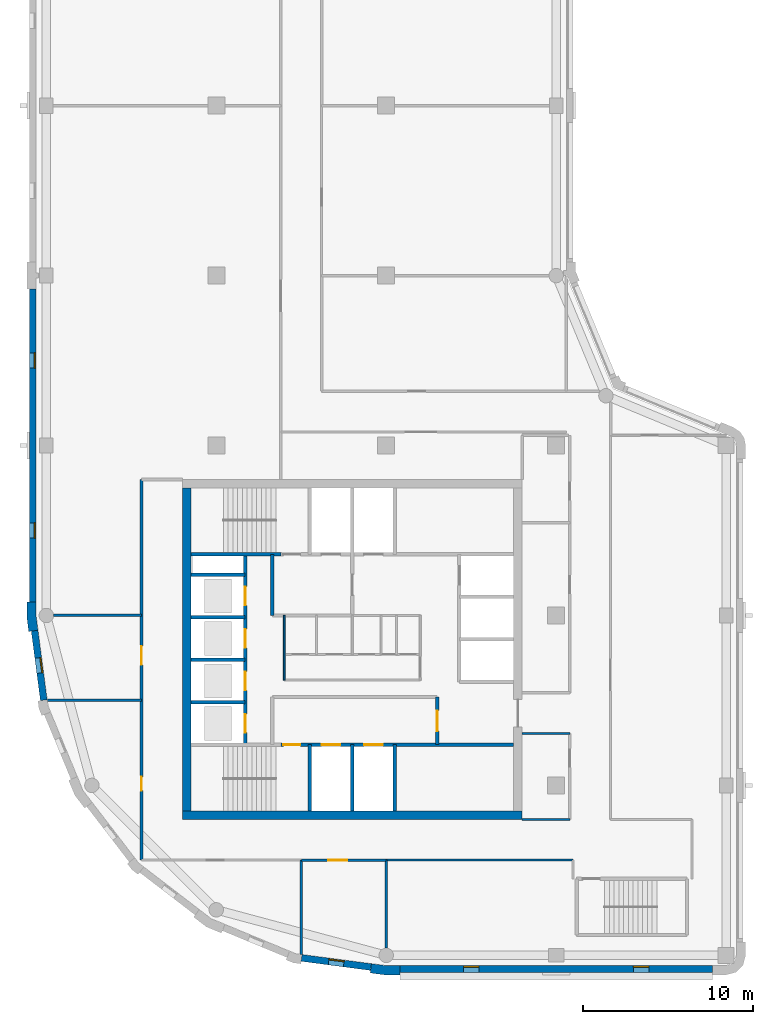
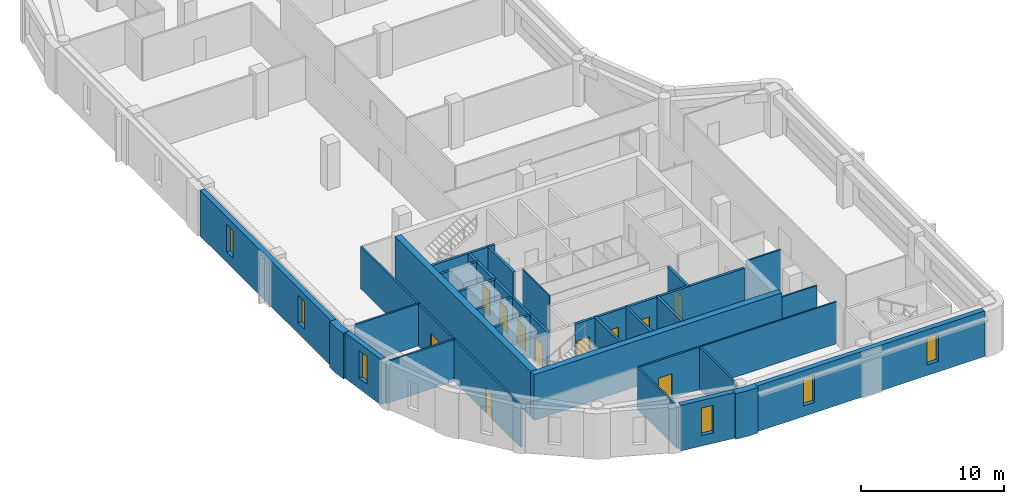
# One storey, part 2 of 8: 30 walls, 11 doors, 6 windows, 17 openings.
"""IFC4 building model written with IfcOpenShell, lengths in metres."""

from ifc_helpers import new_model, si_unit, direction, frame, frame_2d, origin, place, context, subcontext, project, spatial, polyline, rectangle, outline, extrude, material, layer, layer_set, type_object, element, fill, save


model = new_model("IFC4")

# Units and contexts
model_context = context("Model", 3, precision=1e-05, world=origin(), true_north=direction((0.0, 1.0)))
body_context = subcontext(model_context, "Body", "Model", "MODEL_VIEW")
ifc_project = project(units=[si_unit("LENGTHUNIT", "METRE"), si_unit("AREAUNIT", "SQUARE_METRE"), si_unit("VOLUMEUNIT", "CUBIC_METRE"), si_unit("PLANEANGLEUNIT", "RADIAN"), si_unit("MASSUNIT", "GRAM", prefix="KILO")], contexts=[model_context])

# Site, building, storey
site_placement = place(None, origin())
site = spatial("IfcSite", under=ifc_project, at=site_placement, CompositionType="ELEMENT")
building_placement = place(site_placement, origin())
building = spatial("IfcBuilding", under=site, at=building_placement, Name="Qaws Garden Tower", CompositionType="ELEMENT")
storey_placement = place(building_placement, frame((0.0, 0.0, 298.199951171875)))
storey = spatial("IfcBuildingStorey", under=building, at=storey_placement, Name="L72", CompositionType="ELEMENT", Elevation=298.199951171875)

# Wall, openings, windows
ifc_material_1 = material(Name="Clay facing brick masonry", Category="masonry")
ifc_layer_1 = layer(ifc_material_1, 0.39990234375)
ifc_layer_set_1 = layer_set([ifc_layer_1], Name="Clay facing brick masonry")
wall_type_1 = type_object("IfcWallType", Name="Brick infill wall 400", PredefinedType="SOLIDWALL", material=ifc_layer_set_1)
wall_1_placement = place(storey_placement, frame((20.800048828125, -0.800048828125, 0.0), z_axis=(0.0, 0.0, 1.0), x_axis=(1.0, 0.0, 0.0)))
wall_1 = element("IfcWall", 1, at=wall_1_placement, inside=storey, type_object=wall_type_1, Name="E-L72-infill-00", PredefinedType="SOLIDWALL", context=body_context, shape_type="SweptSolid", body=[
    extrude(rectangle(XDim=18.39990234375, YDim=0.39990234375, at=frame_2d((9.199951171875, 0.0))), origin(), (0.0, 0.0, 1.0), 3.900146484375),
])
opening_1_placement = place(wall_1_placement, frame((3.75, 0.0, 0.89990234375)))
opening_1 = element("IfcOpeningElement", 2, at=opening_1_placement, cuts=wall_1, Name="Opening W09", PredefinedType="OPENING", context=body_context, shape_type="SweptSolid", body=[
    extrude(rectangle(XDim=0.89990234375, YDim=2.35009765625, at=frame_2d((0.449951171875, 1.175048828125))), frame((0.0, 0.2099609375, 0.0), z_axis=(0.0, -1.0, 0.0), x_axis=(1.0, 0.0, 0.0)), (0.0, 0.0, 1.0), 0.419921875),
])
opening_2_placement = place(wall_1_placement, frame((13.75, 0.0, 0.89990234375)))
opening_2 = element("IfcOpeningElement", 3, at=opening_2_placement, cuts=wall_1, Name="Opening W09", PredefinedType="OPENING", context=body_context, shape_type="SweptSolid", body=[
    extrude(rectangle(XDim=0.89990234375, YDim=2.35009765625, at=frame_2d((0.449951171875, 1.175048828125))), frame((0.0, 0.2099609375, 0.0), z_axis=(0.0, -1.0, 0.0), x_axis=(1.0, 0.0, 0.0)), (0.0, 0.0, 1.0), 0.419921875),
])
ifc_material_2 = material(Name="Aluminium framed window, clear glazing", Category="aluminium")
window_type = type_object("IfcWindowType", Name="Slit window 900 x 2350", PartitioningType="SINGLE_PANEL", PredefinedType="WINDOW", material=ifc_material_2)
window_1_placement = place(opening_1_placement, origin())
window_1 = element("IfcWindow", 4, at=window_1_placement, inside=storey, type_object=window_type, Name="E-L72-window-00-0", OverallHeight=2.35009765625, OverallWidth=0.89990234375, PartitioningType="SINGLE_PANEL", PredefinedType="WINDOW", context=body_context, shape_type="SweptSolid", body=[
    extrude(rectangle(XDim=0.89990234375, YDim=2.35009765625, at=frame_2d((0.449951171875, 1.175048828125))), frame((0.0, 0.159912109375, 0.0), z_axis=(0.0, -1.0, 0.0), x_axis=(1.0, 0.0, 0.0)), (0.0, 0.0, 1.0), 0.06005859375),
])
fill(opening_1, window_1)
window_2_placement = place(opening_2_placement, origin())
window_2 = element("IfcWindow", 5, at=window_2_placement, inside=storey, type_object=window_type, Name="E-L72-window-01-0", OverallHeight=2.35009765625, OverallWidth=0.89990234375, PartitioningType="SINGLE_PANEL", PredefinedType="WINDOW", context=body_context, shape_type="SweptSolid", body=[
    extrude(rectangle(XDim=0.89990234375, YDim=2.35009765625, at=frame_2d((0.449951171875, 1.175048828125))), frame((0.0, 0.159912109375, 0.0), z_axis=(0.0, -1.0, 0.0), x_axis=(1.0, 0.0, 0.0)), (0.0, 0.0, 1.0), 0.06005859375),
])
fill(opening_2, window_2)

wall_2_placement = place(storey_placement, frame((-0.800048828125, 39.199951171875, 0.0), z_axis=(0.0, 0.0, 1.0), x_axis=(0.0, -1.0, 0.0)))
wall_2 = element("IfcWall", 6, at=wall_2_placement, inside=storey, type_object=wall_type_1, Name="E-L72-infill-19", PredefinedType="SOLIDWALL", context=body_context, shape_type="SweptSolid", body=[
    extrude(rectangle(XDim=18.39990234375, YDim=0.39990234375, at=frame_2d((9.199951171875, 0.0))), origin(), (0.0, 0.0, 1.0), 3.900146484375),
])
opening_3_placement = place(wall_2_placement, frame((3.75, 0.0, 0.89990234375)))
opening_3 = element("IfcOpeningElement", 7, at=opening_3_placement, cuts=wall_2, Name="Opening W09", PredefinedType="OPENING", context=body_context, shape_type="SweptSolid", body=[
    extrude(rectangle(XDim=0.89990234375, YDim=2.35009765625, at=frame_2d((0.449951171875, 1.175048828125))), frame((0.0, 0.2099609375, 0.0), z_axis=(0.0, -1.0, 0.0), x_axis=(1.0, 0.0, 0.0)), (0.0, 0.0, 1.0), 0.419921875),
])
opening_4_placement = place(wall_2_placement, frame((13.75, 0.0, 0.89990234375)))
opening_4 = element("IfcOpeningElement", 8, at=opening_4_placement, cuts=wall_2, Name="Opening W09", PredefinedType="OPENING", context=body_context, shape_type="SweptSolid", body=[
    extrude(rectangle(XDim=0.89990234375, YDim=2.35009765625, at=frame_2d((0.449951171875, 1.175048828125))), frame((0.0, 0.2099609375, 0.0), z_axis=(0.0, -1.0, 0.0), x_axis=(1.0, 0.0, 0.0)), (0.0, 0.0, 1.0), 0.419921875),
])
window_3_placement = place(opening_3_placement, origin())
window_3 = element("IfcWindow", 9, at=window_3_placement, inside=storey, type_object=window_type, Name="E-L72-window-19-0", OverallHeight=2.35009765625, OverallWidth=0.89990234375, PartitioningType="SINGLE_PANEL", PredefinedType="WINDOW", context=body_context, shape_type="SweptSolid", body=[
    extrude(rectangle(XDim=0.89990234375, YDim=2.35009765625, at=frame_2d((0.449951171875, 1.175048828125))), frame((0.0, 0.159912109375, 0.0), z_axis=(0.0, -1.0, 0.0), x_axis=(1.0, 0.0, 0.0)), (0.0, 0.0, 1.0), 0.06005859375),
])
fill(opening_3, window_3)
window_4_placement = place(opening_4_placement, origin())
window_4 = element("IfcWindow", 10, at=window_4_placement, inside=storey, type_object=window_type, Name="E-L72-window-20-0", OverallHeight=2.35009765625, OverallWidth=0.89990234375, PartitioningType="SINGLE_PANEL", PredefinedType="WINDOW", context=body_context, shape_type="SweptSolid", body=[
    extrude(rectangle(XDim=0.89990234375, YDim=2.35009765625, at=frame_2d((0.449951171875, 1.175048828125))), frame((0.0, 0.159912109375, 0.0), z_axis=(0.0, -1.0, 0.0), x_axis=(1.0, 0.0, 0.0)), (0.0, 0.0, 1.0), 0.06005859375),
])
fill(opening_4, window_4)

# Wall, opening, window
wall_3_placement = place(storey_placement, frame((-0.688720703125, 19.102294921875, 0.0), z_axis=(0.0, 0.0, 1.0), x_axis=(0.130514280502, -0.991446429508, 0.0)))
wall_3 = element("IfcWall", 11, at=wall_3_placement, inside=storey, type_object=wall_type_1, Name="E-L72-infill-21", PredefinedType="SOLIDWALL", context=body_context, shape_type="SweptSolid", body=[
    extrude(rectangle(XDim=4.120849609375, YDim=0.39990234375, at=frame_2d((2.060546875, 0.0))), origin(), (0.0, 0.0, 1.0), 3.900146484375),
])
opening_5_placement = place(wall_3_placement, frame((1.610595703125, 0.0, 0.89990234375)))
opening_5 = element("IfcOpeningElement", 12, at=opening_5_placement, cuts=wall_3, Name="Opening W09", PredefinedType="OPENING", context=body_context, shape_type="SweptSolid", body=[
    extrude(rectangle(XDim=0.89990234375, YDim=2.35009765625, at=frame_2d((0.449951171875, 1.175048828125))), frame((0.0, 0.2099609375, 0.0), z_axis=(0.0, -1.0, 0.0), x_axis=(1.0, 0.0, 0.0)), (0.0, 0.0, 1.0), 0.419921875),
])
window_5_placement = place(opening_5_placement, origin())
window_5 = element("IfcWindow", 13, at=window_5_placement, inside=storey, type_object=window_type, Name="E-L72-window-21-0", OverallHeight=2.35009765625, OverallWidth=0.89990234375, PartitioningType="SINGLE_PANEL", PredefinedType="WINDOW", context=body_context, shape_type="SweptSolid", body=[
    extrude(rectangle(XDim=0.89990234375, YDim=2.35009765625, at=frame_2d((0.449951171875, 1.175048828125))), frame((0.0, 0.159912109375, 0.0), z_axis=(0.0, -1.0, 0.0), x_axis=(1.0, 0.0, 0.0)), (0.0, 0.0, 1.0), 0.06005859375),
])
fill(opening_5, window_5)

wall_4_placement = place(storey_placement, frame((15.0166015625, -0.15087890625, 0.0), z_axis=(0.0, 0.0, 1.0), x_axis=(0.991446429508, -0.130514280502, 0.0)))
wall_4 = element("IfcWall", 14, at=wall_4_placement, inside=storey, type_object=wall_type_1, Name="E-L72-infill-26", PredefinedType="SOLIDWALL", context=body_context, shape_type="SweptSolid", body=[
    extrude(rectangle(XDim=4.120849609375, YDim=0.39990234375, at=frame_2d((2.060546875, 0.0))), origin(), (0.0, 0.0, 1.0), 3.900146484375),
])
opening_6_placement = place(wall_4_placement, frame((1.610595703125, 0.0, 0.89990234375)))
opening_6 = element("IfcOpeningElement", 15, at=opening_6_placement, cuts=wall_4, Name="Opening W09", PredefinedType="OPENING", context=body_context, shape_type="SweptSolid", body=[
    extrude(rectangle(XDim=0.89990234375, YDim=2.35009765625, at=frame_2d((0.449951171875, 1.175048828125))), frame((0.0, 0.2099609375, 0.0), z_axis=(0.0, -1.0, 0.0), x_axis=(1.0, 0.0, 0.0)), (0.0, 0.0, 1.0), 0.419921875),
])
window_6_placement = place(opening_6_placement, origin())
window_6 = element("IfcWindow", 16, at=window_6_placement, inside=storey, type_object=window_type, Name="E-L72-window-26-0", OverallHeight=2.35009765625, OverallWidth=0.89990234375, PartitioningType="SINGLE_PANEL", PredefinedType="WINDOW", context=body_context, shape_type="SweptSolid", body=[
    extrude(rectangle(XDim=0.89990234375, YDim=2.35009765625, at=frame_2d((0.449951171875, 1.175048828125))), frame((0.0, 0.159912109375, 0.0), z_axis=(0.0, -1.0, 0.0), x_axis=(1.0, 0.0, 0.0)), (0.0, 0.0, 1.0), 0.06005859375),
])
fill(opening_6, window_6)

# Walls
ifc_material_3 = material(Name="Clay facing brick masonry", Category="masonry")
ifc_layer_2 = layer(ifc_material_3, 0.550048828125)
ifc_layer_set_2 = layer_set([ifc_layer_2], Name="Clay facing brick masonry")
wall_type_2 = type_object("IfcWallType", Name="Brick pier 550 x 1600", PredefinedType="SOLIDWALL", material=ifc_layer_set_2)
placement = place(storey_placement, origin())
element("IfcWall", 17, at=placement, inside=storey, type_object=wall_type_2, Name="E-L72-pier-00", PredefinedType="SOLIDWALL", context=body_context, shape_type="SweptSolid", body=[
    extrude(outline(polyline([(19.076416015625, -0.886962890625), (19.056640625, -1.03564453125), (19.924560546875, -1.14990234375), (20.800048828125, -1.14990234375), (20.800048828125, -1.0), (20.800048828125, -0.60009765625), (19.960693359375, -0.60009765625), (19.12841796875, -0.490478515625), (19.076416015625, -0.886962890625)])), origin(), (0.0, 0.0, 1.0), 3.900146484375),
])
element("IfcWall", 18, at=placement, inside=storey, type_object=wall_type_2, Name="E-L72-pier-21", PredefinedType="SOLIDWALL", context=body_context, shape_type="SweptSolid", body=[
    extrude(outline(polyline([(-1.0, 20.800048828125), (-1.14990234375, 20.800048828125), (-1.14990234375, 19.924560546875), (-1.03564453125, 19.056640625), (-0.886962890625, 19.076416015625), (-0.490478515625, 19.12841796875), (-0.60009765625, 19.960693359375), (-0.60009765625, 20.800048828125), (-1.0, 20.800048828125)])), origin(), (0.0, 0.0, 1.0), 3.900146484375),
])
ifc_material_4 = material(Name="Plasterboard")
ifc_layer_3 = layer(ifc_material_4, 0.10009765625)
ifc_layer_set_3 = layer_set([ifc_layer_3], Name="Plasterboard")
wall_type_3 = type_object("IfcWallType", Name="Core partition 100", PredefinedType="PARTITIONING", material=ifc_layer_set_3)
wall_7_placement = place(storey_placement, frame((14.0, 16.199951171875, 0.0), z_axis=(0.0, 0.0, 1.0), x_axis=(0.0, 1.0, 0.0)))
element("IfcWall", 19, at=wall_7_placement, inside=storey, type_object=wall_type_3, Name="Core partition", PredefinedType="PARTITIONING", context=body_context, shape_type="SweptSolid", body=[
    extrude(rectangle(XDim=3.800048828125, YDim=0.10009765625, at=frame_2d((1.89990234375, 0.0))), origin(), (0.0, 0.0, 1.0), 3.580078125),
])

# Wall, openings, doors
ifc_material_5 = material(Name="Concrete C60", Category="concrete")
ifc_layer_4 = layer(ifc_material_5, 0.199951171875)
ifc_layer_set_4 = layer_set([ifc_layer_4], Name="Concrete C60")
wall_type_4 = type_object("IfcWallType", Name="Core shaft wall 200 C60", PredefinedType="SHEAR", material=ifc_layer_set_4)
wall_8_placement = place(storey_placement, frame((13.800048828125, 12.39990234375, 0.0), z_axis=(0.0, 0.0, 1.0), x_axis=(1.0, 0.0, 0.0)))
wall_8 = element("IfcWall", 20, at=wall_8_placement, inside=storey, type_object=wall_type_4, Name="Shaft wall", PredefinedType="SHEAR", context=body_context, shape_type="SweptSolid", body=[
    extrude(rectangle(XDim=13.699951171875, YDim=0.199951171875, at=frame_2d((6.85009765625, 0.0))), origin(), (0.0, 0.0, 1.0), 3.580078125),
])
opening_7_placement = place(wall_8_placement, frame((2.39990234375, 0.0, 0.0)))
opening_7 = element("IfcOpeningElement", 21, at=opening_7_placement, cuts=wall_8, Name="Opening LD06", PredefinedType="OPENING", context=body_context, shape_type="SweptSolid", body=[
    extrude(rectangle(XDim=1.10009765625, YDim=2.10009765625, at=frame_2d((0.550048828125, 1.050048828125))), frame((0.0, 0.10986328125, 0.0), z_axis=(0.0, -1.0, 0.0), x_axis=(1.0, 0.0, 0.0)), (0.0, 0.0, 1.0), 0.219970703125),
])
opening_8_placement = place(wall_8_placement, frame((4.89990234375, 0.0, 0.0)))
opening_8 = element("IfcOpeningElement", 22, at=opening_8_placement, cuts=wall_8, Name="Opening LD07", PredefinedType="OPENING", context=body_context, shape_type="SweptSolid", body=[
    extrude(rectangle(XDim=1.10009765625, YDim=2.10009765625, at=frame_2d((0.550048828125, 1.050048828125))), frame((0.0, 0.10986328125, 0.0), z_axis=(0.0, -1.0, 0.0), x_axis=(1.0, 0.0, 0.0)), (0.0, 0.0, 1.0), 0.219970703125),
])
opening_9_placement = place(wall_8_placement, frame((0.14990234375, 0.0, 0.0)))
opening_9 = element("IfcOpeningElement", 23, at=opening_9_placement, cuts=wall_8, Name="Opening SD10", PredefinedType="OPENING", context=body_context, shape_type="SweptSolid", body=[
    extrude(rectangle(XDim=1.0, YDim=2.10009765625, at=frame_2d((0.5, 1.050048828125))), frame((0.0, 0.10986328125, 0.0), z_axis=(0.0, -1.0, 0.0), x_axis=(1.0, 0.0, 0.0)), (0.0, 0.0, 1.0), 0.219970703125),
])
ifc_material_6 = material(Name="Steel S235", Category="steel")
door_type_1 = type_object("IfcDoorType", Name="Landing door 1100x2100", OperationType="DOUBLE_DOOR_SLIDING", PredefinedType="DOOR", material=ifc_material_6)
door_1_placement = place(opening_7_placement, origin())
door_1 = element("IfcDoor", 24, at=door_1_placement, inside=storey, type_object=door_type_1, Name="Lift FF1 landing door", OperationType="DOUBLE_DOOR_SLIDING", OverallHeight=2.10009765625, OverallWidth=1.10009765625, PredefinedType="DOOR", context=body_context, shape_type="SweptSolid", body=[
    extrude(rectangle(XDim=1.10009765625, YDim=2.10009765625, at=frame_2d((0.550048828125, 1.050048828125))), frame((0.0, 0.02490234375, 0.0), z_axis=(0.0, -1.0, 0.0), x_axis=(1.0, 0.0, 0.0)), (0.0, 0.0, 1.0), 0.050048828125),
])
fill(opening_7, door_1)
door_2_placement = place(opening_8_placement, origin())
door_2 = element("IfcDoor", 25, at=door_2_placement, inside=storey, type_object=door_type_1, Name="Lift FF2 landing door", OperationType="DOUBLE_DOOR_SLIDING", OverallHeight=2.10009765625, OverallWidth=1.10009765625, PredefinedType="DOOR", context=body_context, shape_type="SweptSolid", body=[
    extrude(rectangle(XDim=1.10009765625, YDim=2.10009765625, at=frame_2d((0.550048828125, 1.050048828125))), frame((0.0, 0.02490234375, 0.0), z_axis=(0.0, -1.0, 0.0), x_axis=(1.0, 0.0, 0.0)), (0.0, 0.0, 1.0), 0.050048828125),
])
fill(opening_8, door_2)
ifc_material_7 = material(Name="Steel S235", Category="steel")
door_type_2 = type_object("IfcDoorType", Name="Stair door 1000x2100", OperationType="SINGLE_SWING_RIGHT", PredefinedType="DOOR", material=ifc_material_7)
door_3_placement = place(opening_9_placement, frame((1.0, 0.0, 0.0), z_axis=(0.0, 0.0, 1.0), x_axis=(-1.0, 0.0, 0.0)))
door_3 = element("IfcDoor", 26, at=door_3_placement, inside=storey, type_object=door_type_2, Name="Stair 1 door", OperationType="SINGLE_SWING_LEFT", OverallHeight=2.10009765625, OverallWidth=1.0, PredefinedType="DOOR", context=body_context, shape_type="SweptSolid", body=[
    extrude(rectangle(XDim=1.0, YDim=2.10009765625, at=frame_2d((0.5, 1.050048828125))), frame((0.0, 0.02490234375, 0.0), z_axis=(0.0, -1.0, 0.0), x_axis=(1.0, 0.0, 0.0)), (0.0, 0.0, 1.0), 0.050048828125),
])
fill(opening_9, door_3)

# Walls
for number, where, z_axis, x_axis, name in (
    (27, (8.5, 14.89990234375, 0.0), (0.0, 0.0, 1.0), (1.0, 0.0, 0.0), "Shaft wall"),
    (28, (8.5, 17.39990234375, 0.0), (0.0, 0.0, 1.0), (1.0, 0.0, 0.0), "Shaft wall"),
    (29, (8.5, 19.89990234375, 0.0), (0.0, 0.0, 1.0), (1.0, 0.0, 0.0), "Shaft wall"),
    (30, (8.5, 22.39990234375, 0.0), (0.0, 0.0, 1.0), (1.0, 0.0, 0.0), "Shaft wall"),
):
    element("IfcWall", number, at=place(storey_placement, frame(where, z_axis=z_axis, x_axis=x_axis)), inside=storey, type_object=wall_type_4, Name=name, PredefinedType="SHEAR", context=body_context, shape_type="SweptSolid", body=[
        extrude(rectangle(XDim=3.199951171875, YDim=0.199951171875, at=frame_2d((1.60009765625, 0.0))), origin(), (0.0, 0.0, 1.0), 3.580078125),
    ])
wall_9_placement = place(storey_placement, frame((8.5, 23.60009765625, 0.0), z_axis=(0.0, 0.0, 1.0), x_axis=(1.0, 0.0, 0.0)))
element("IfcWall", 31, at=wall_9_placement, inside=storey, type_object=wall_type_4, Name="Shaft wall", PredefinedType="SHEAR", context=body_context, shape_type="SweptSolid", body=[
    extrude(rectangle(XDim=5.300048828125, YDim=0.199951171875, at=frame_2d((2.64990234375, 0.0))), origin(), (0.0, 0.0, 1.0), 3.580078125),
])

# Wall, openings, doors
wall_10_placement = place(storey_placement, frame((11.699951171875, 12.39990234375, 0.0), z_axis=(0.0, 0.0, 1.0), x_axis=(0.0, 1.0, 0.0)))
wall_10 = element("IfcWall", 32, at=wall_10_placement, inside=storey, type_object=wall_type_4, Name="Shaft wall", PredefinedType="SHEAR", context=body_context, shape_type="SweptSolid", body=[
    extrude(rectangle(XDim=11.2001953125, YDim=0.199951171875, at=frame_2d((5.60009765625, 0.0))), origin(), (0.0, 0.0, 1.0), 3.580078125),
])
opening_10_placement = place(wall_10_placement, frame((0.699951171875, 0.0, 0.0)))
opening_10 = element("IfcOpeningElement", 33, at=opening_10_placement, cuts=wall_10, Name="Opening LD01", PredefinedType="OPENING", context=body_context, shape_type="SweptSolid", body=[
    extrude(rectangle(XDim=1.10009765625, YDim=2.10009765625, at=frame_2d((0.550048828125, 1.050048828125))), frame((0.0, 0.10986328125, 0.0), z_axis=(0.0, -1.0, 0.0), x_axis=(1.0, 0.0, 0.0)), (0.0, 0.0, 1.0), 0.219970703125),
])
opening_11_placement = place(wall_10_placement, frame((3.199951171875, 0.0, 0.0)))
opening_11 = element("IfcOpeningElement", 34, at=opening_11_placement, cuts=wall_10, Name="Opening LD02", PredefinedType="OPENING", context=body_context, shape_type="SweptSolid", body=[
    extrude(rectangle(XDim=1.10009765625, YDim=2.10009765625, at=frame_2d((0.550048828125, 1.050048828125))), frame((0.0, 0.10986328125, 0.0), z_axis=(0.0, -1.0, 0.0), x_axis=(1.0, 0.0, 0.0)), (0.0, 0.0, 1.0), 0.219970703125),
])
opening_12_placement = place(wall_10_placement, frame((5.699951171875, 0.0, 0.0)))
opening_12 = element("IfcOpeningElement", 35, at=opening_12_placement, cuts=wall_10, Name="Opening LD03", PredefinedType="OPENING", context=body_context, shape_type="SweptSolid", body=[
    extrude(rectangle(XDim=1.10009765625, YDim=2.10009765625, at=frame_2d((0.550048828125, 1.050048828125))), frame((0.0, 0.10986328125, 0.0), z_axis=(0.0, -1.0, 0.0), x_axis=(1.0, 0.0, 0.0)), (0.0, 0.0, 1.0), 0.219970703125),
])
opening_13_placement = place(wall_10_placement, frame((8.199951171875, 0.0, 0.0)))
opening_13 = element("IfcOpeningElement", 36, at=opening_13_placement, cuts=wall_10, Name="Opening LD04", PredefinedType="OPENING", context=body_context, shape_type="SweptSolid", body=[
    extrude(rectangle(XDim=1.10009765625, YDim=2.10009765625, at=frame_2d((0.550048828125, 1.050048828125))), frame((0.0, 0.10986328125, 0.0), z_axis=(0.0, -1.0, 0.0), x_axis=(1.0, 0.0, 0.0)), (0.0, 0.0, 1.0), 0.219970703125),
])
door_4_placement = place(opening_10_placement, origin())
door_4 = element("IfcDoor", 37, at=door_4_placement, inside=storey, type_object=door_type_1, Name="Lift W1 landing door", OperationType="DOUBLE_DOOR_SLIDING", OverallHeight=2.10009765625, OverallWidth=1.10009765625, PredefinedType="DOOR", context=body_context, shape_type="SweptSolid", body=[
    extrude(rectangle(XDim=1.10009765625, YDim=2.10009765625, at=frame_2d((0.550048828125, 1.050048828125))), frame((0.0, 0.02490234375, 0.0), z_axis=(0.0, -1.0, 0.0), x_axis=(1.0, 0.0, 0.0)), (0.0, 0.0, 1.0), 0.050048828125),
])
fill(opening_10, door_4)
door_5_placement = place(opening_11_placement, origin())
door_5 = element("IfcDoor", 38, at=door_5_placement, inside=storey, type_object=door_type_1, Name="Lift W2 landing door", OperationType="DOUBLE_DOOR_SLIDING", OverallHeight=2.10009765625, OverallWidth=1.10009765625, PredefinedType="DOOR", context=body_context, shape_type="SweptSolid", body=[
    extrude(rectangle(XDim=1.10009765625, YDim=2.10009765625, at=frame_2d((0.550048828125, 1.050048828125))), frame((0.0, 0.02490234375, 0.0), z_axis=(0.0, -1.0, 0.0), x_axis=(1.0, 0.0, 0.0)), (0.0, 0.0, 1.0), 0.050048828125),
])
fill(opening_11, door_5)
door_6_placement = place(opening_12_placement, origin())
door_6 = element("IfcDoor", 39, at=door_6_placement, inside=storey, type_object=door_type_1, Name="Lift W3 landing door", OperationType="DOUBLE_DOOR_SLIDING", OverallHeight=2.10009765625, OverallWidth=1.10009765625, PredefinedType="DOOR", context=body_context, shape_type="SweptSolid", body=[
    extrude(rectangle(XDim=1.10009765625, YDim=2.10009765625, at=frame_2d((0.550048828125, 1.050048828125))), frame((0.0, 0.02490234375, 0.0), z_axis=(0.0, -1.0, 0.0), x_axis=(1.0, 0.0, 0.0)), (0.0, 0.0, 1.0), 0.050048828125),
])
fill(opening_12, door_6)
door_7_placement = place(opening_13_placement, origin())
door_7 = element("IfcDoor", 40, at=door_7_placement, inside=storey, type_object=door_type_1, Name="Lift W4 landing door", OperationType="DOUBLE_DOOR_SLIDING", OverallHeight=2.10009765625, OverallWidth=1.10009765625, PredefinedType="DOOR", context=body_context, shape_type="SweptSolid", body=[
    extrude(rectangle(XDim=1.10009765625, YDim=2.10009765625, at=frame_2d((0.550048828125, 1.050048828125))), frame((0.0, 0.02490234375, 0.0), z_axis=(0.0, -1.0, 0.0), x_axis=(1.0, 0.0, 0.0)), (0.0, 0.0, 1.0), 0.050048828125),
])
fill(opening_13, door_7)

# Walls
wall_11_placement = place(storey_placement, frame((13.300048828125, 20.0, 0.0), z_axis=(0.0, 0.0, 1.0), x_axis=(0.0, 1.0, 0.0)))
element("IfcWall", 41, at=wall_11_placement, inside=storey, type_object=wall_type_4, Name="Shaft wall", PredefinedType="SHEAR", context=body_context, shape_type="SweptSolid", body=[
    extrude(rectangle(XDim=3.60009765625, YDim=0.199951171875, at=frame_2d((1.800048828125, 0.0))), origin(), (0.0, 0.0, 1.0), 3.580078125),
])
for number, where, z_axis, x_axis, name in (
    (42, (15.5, 8.5, 0.0), (0.0, 0.0, 1.0), (0.0, 1.0, 0.0), "Shaft wall"),
    (43, (18.0, 8.5, 0.0), (0.0, 0.0, 1.0), (0.0, 1.0, 0.0), "Shaft wall"),
    (44, (20.5, 8.5, 0.0), (0.0, 0.0, 1.0), (0.0, 1.0, 0.0), "Shaft wall"),
):
    element("IfcWall", number, at=place(storey_placement, frame(where, z_axis=z_axis, x_axis=x_axis)), inside=storey, type_object=wall_type_4, Name=name, PredefinedType="SHEAR", context=body_context, shape_type="SweptSolid", body=[
        extrude(rectangle(XDim=3.89990234375, YDim=0.199951171875, at=frame_2d((1.949951171875, 0.0))), origin(), (0.0, 0.0, 1.0), 3.580078125),
    ])

# Wall, opening, door
wall_12_placement = place(storey_placement, frame((23.0, 12.39990234375, 0.0), z_axis=(0.0, 0.0, 1.0), x_axis=(0.0, 1.0, 0.0)))
wall_12 = element("IfcWall", 45, at=wall_12_placement, inside=storey, type_object=wall_type_4, Name="Shaft wall", PredefinedType="SHEAR", context=body_context, shape_type="SweptSolid", body=[
    extrude(rectangle(XDim=2.800048828125, YDim=0.199951171875, at=frame_2d((1.39990234375, 0.0))), origin(), (0.0, 0.0, 1.0), 3.580078125),
])
opening_14_placement = place(wall_12_placement, frame((0.800048828125, 0.0, 0.0)))
opening_14 = element("IfcOpeningElement", 46, at=opening_14_placement, cuts=wall_12, Name="Opening FD15", PredefinedType="OPENING", context=body_context, shape_type="SweptSolid", body=[
    extrude(rectangle(XDim=1.199951171875, YDim=2.10009765625, at=frame_2d((0.60009765625, 1.050048828125))), frame((0.0, 0.10986328125, 0.0), z_axis=(0.0, -1.0, 0.0), x_axis=(1.0, 0.0, 0.0)), (0.0, 0.0, 1.0), 0.219970703125),
])
ifc_material_8 = material(Name="Steel S235", Category="steel")
door_type_3 = type_object("IfcDoorType", Name="Lobby door 1200x2100", OperationType="DOUBLE_DOOR_SINGLE_SWING", PredefinedType="DOOR", material=ifc_material_8)
door_8_placement = place(opening_14_placement, origin())
door_8 = element("IfcDoor", 47, at=door_8_placement, inside=storey, type_object=door_type_3, Name="Fire-fighting lobby door", OperationType="DOUBLE_DOOR_SINGLE_SWING", OverallHeight=2.10009765625, OverallWidth=1.199951171875, PredefinedType="DOOR", context=body_context, shape_type="SweptSolid", body=[
    extrude(rectangle(XDim=1.199951171875, YDim=2.10009765625, at=frame_2d((0.60009765625, 1.050048828125))), frame((0.0, 0.02490234375, 0.0), z_axis=(0.0, -1.0, 0.0), x_axis=(1.0, 0.0, 0.0)), (0.0, 0.0, 1.0), 0.050048828125),
])
fill(opening_14, door_8)

# Walls
ifc_material_9 = material(Name="Concrete C60", Category="concrete")
ifc_layer_5 = layer(ifc_material_9, 0.5)
ifc_layer_set_5 = layer_set([ifc_layer_5], Name="Concrete C60")
wall_type_5 = type_object("IfcWallType", Name="Core wall 500 C60", PredefinedType="SHEAR", material=ifc_layer_set_5)
wall_13_placement = place(storey_placement, frame((8.0, 8.25, 0.0), z_axis=(0.0, 0.0, 1.0), x_axis=(1.0, 0.0, 0.0)))
element("IfcWall", 48, at=wall_13_placement, inside=storey, type_object=wall_type_5, Name="Core wall L72 south", PredefinedType="SHEAR", context=body_context, shape_type="SweptSolid", body=[
    extrude(rectangle(XDim=20.0, YDim=0.5, at=frame_2d((10.0, 0.0))), origin(), (0.0, 0.0, 1.0), 3.900146484375),
])
wall_14_placement = place(storey_placement, frame((8.25, 27.5, 0.0), z_axis=(0.0, 0.0, 1.0), x_axis=(0.0, -1.0, 0.0)))
element("IfcWall", 49, at=wall_14_placement, inside=storey, type_object=wall_type_5, Name="Core wall L72 west", PredefinedType="SHEAR", context=body_context, shape_type="SweptSolid", body=[
    extrude(rectangle(XDim=19.0, YDim=0.5, at=frame_2d((9.5, 0.0))), origin(), (0.0, 0.0, 1.0), 3.900146484375),
])
ifc_material_10 = material(Name="Glass and aluminium framing", Category="aluminium")
ifc_layer_6 = layer(ifc_material_10, 0.1201171875)
ifc_layer_set_6 = layer_set([ifc_layer_6], Name="Glass and aluminium framing")
wall_type_6 = type_object("IfcWallType", Name="GLAZED PARTITION 120 EI 30", PredefinedType="PARTITIONING", material=ifc_layer_set_6)
wall_15_placement = place(storey_placement, frame((20.0, 5.60009765625, 0.0), z_axis=(0.0, 0.0, 1.0), x_axis=(1.0, 0.0, 0.0)))
element("IfcWall", 50, at=wall_15_placement, inside=storey, type_object=wall_type_6, Name="O-L72-wall-042", PredefinedType="PARTITIONING", context=body_context, shape_type="SweptSolid", body=[
    extrude(rectangle(XDim=11.0, YDim=0.1201171875, at=frame_2d((5.5, 0.0))), origin(), (0.0, 0.0, 1.0), 3.580078125),
])
for number, where, z_axis, x_axis, name in (
    (51, (28.0, 8.0, 0.0), (0.0, 0.0, 1.0), (1.0, 0.0, 0.0), "O-L72-wall-043"),
    (52, (28.0, 13.050048828125, 0.0), (0.0, 0.0, 1.0), (1.0, 0.0, 0.0), "O-L72-wall-045"),
):
    element("IfcWall", number, at=place(storey_placement, frame(where, z_axis=z_axis, x_axis=x_axis)), inside=storey, type_object=wall_type_6, Name=name, PredefinedType="PARTITIONING", context=body_context, shape_type="SweptSolid", body=[
        extrude(rectangle(XDim=2.800048828125, YDim=0.1201171875, at=frame_2d((1.39990234375, 0.0))), origin(), (0.0, 0.0, 1.0), 3.580078125),
    ])

# Wall, openings, doors
ifc_material_11 = material(Name="Gypsum board partition")
ifc_layer_7 = layer(ifc_material_11, 0.14990234375)
ifc_layer_set_7 = layer_set([ifc_layer_7], Name="Gypsum board partition")
wall_type_7 = type_object("IfcWallType", Name="PARTITION 150 EI 60", PredefinedType="PARTITIONING", material=ifc_layer_set_7)
wall_16_placement = place(storey_placement, frame((5.60009765625, 5.60009765625, 0.0), z_axis=(0.0, 0.0, 1.0), x_axis=(0.0, 1.0, 0.0)))
wall_16 = element("IfcWall", 53, at=wall_16_placement, inside=storey, type_object=wall_type_7, Name="O-L72-wall-003", PredefinedType="PARTITIONING", context=body_context, shape_type="SweptSolid", body=[
    extrude(rectangle(XDim=22.39990234375, YDim=0.14990234375, at=frame_2d((11.199951171875, 0.0))), origin(), (0.0, 0.0, 1.0), 3.580078125),
])
opening_15_placement = place(wall_16_placement, frame((4.10009765625, 0.0, 0.0)))
opening_15 = element("IfcOpeningElement", 54, at=opening_15_placement, cuts=wall_16, Name="Opening C601", PredefinedType="OPENING", context=body_context, shape_type="SweptSolid", body=[
    extrude(rectangle(XDim=0.800048828125, YDim=2.10009765625, at=frame_2d((0.39990234375, 1.050048828125))), frame((0.0, 0.0849609375, 0.0), z_axis=(0.0, -1.0, 0.0), x_axis=(1.0, 0.0, 0.0)), (0.0, 0.0, 1.0), 0.169921875),
])
opening_16_placement = place(wall_16_placement, frame((11.5, 0.0, 0.0)))
opening_16 = element("IfcOpeningElement", 55, at=opening_16_placement, cuts=wall_16, Name="Opening C602", PredefinedType="OPENING", context=body_context, shape_type="SweptSolid", body=[
    extrude(rectangle(XDim=1.10009765625, YDim=2.10009765625, at=frame_2d((0.550048828125, 1.050048828125))), frame((0.0, 0.0849609375, 0.0), z_axis=(0.0, -1.0, 0.0), x_axis=(1.0, 0.0, 0.0)), (0.0, 0.0, 1.0), 0.169921875),
])
ifc_material_12 = material(Name="Timber door leaf", Category="wood")
door_type_4 = type_object("IfcDoorType", Name="SERVICE ROOM DOOR 1100 X 2100", OperationType="SINGLE_SWING_LEFT", PredefinedType="DOOR", material=ifc_material_12)
door_9_placement = place(opening_16_placement, origin())
door_9 = element("IfcDoor", 56, at=door_9_placement, inside=storey, type_object=door_type_4, Name="O-L72-door-002", OperationType="SINGLE_SWING_RIGHT", OverallHeight=2.10009765625, OverallWidth=1.10009765625, PredefinedType="DOOR", context=body_context, shape_type="SweptSolid", body=[
    extrude(rectangle(XDim=1.10009765625, YDim=2.10009765625, at=frame_2d((0.550048828125, 1.050048828125))), frame((0.0, 0.02490234375, 0.0), z_axis=(0.0, -1.0, 0.0), x_axis=(1.0, 0.0, 0.0)), (0.0, 0.0, 1.0), 0.050048828125),
])
fill(opening_16, door_9)
ifc_material_13 = material(Name="Timber door leaf", Category="wood")
door_type_5 = type_object("IfcDoorType", Name="STORE DOOR 800 X 2100", OperationType="SINGLE_SWING_LEFT", PredefinedType="DOOR", material=ifc_material_13)
door_10_placement = place(opening_15_placement, origin())
door_10 = element("IfcDoor", 57, at=door_10_placement, inside=storey, type_object=door_type_5, Name="O-L72-door-001", OperationType="SINGLE_SWING_RIGHT", OverallHeight=2.10009765625, OverallWidth=0.800048828125, PredefinedType="DOOR", context=body_context, shape_type="SweptSolid", body=[
    extrude(rectangle(XDim=0.800048828125, YDim=2.10009765625, at=frame_2d((0.39990234375, 1.050048828125))), frame((0.0, 0.02490234375, 0.0), z_axis=(0.0, -1.0, 0.0), x_axis=(1.0, 0.0, 0.0)), (0.0, 0.0, 1.0), 0.050048828125),
])
fill(opening_15, door_10)

# Walls
wall_17_placement = place(storey_placement, frame((15.0, 0.06298828125, 0.0), z_axis=(0.0, 0.0, 1.0), x_axis=(0.0, 1.0, 0.0)))
element("IfcWall", 58, at=wall_17_placement, inside=storey, type_object=wall_type_7, Name="O-L72-wall-006", PredefinedType="PARTITIONING", context=body_context, shape_type="SweptSolid", body=[
    extrude(rectangle(XDim=5.537109375, YDim=0.14990234375, at=frame_2d((2.7685546875, 0.0))), origin(), (0.0, 0.0, 1.0), 3.580078125),
])
wall_18_placement = place(storey_placement, frame((20.0, 0.425048828125, 0.0), z_axis=(0.0, 0.0, 1.0), x_axis=(0.0, 1.0, 0.0)))
element("IfcWall", 59, at=wall_18_placement, inside=storey, type_object=wall_type_7, Name="O-L72-wall-010", PredefinedType="PARTITIONING", context=body_context, shape_type="SweptSolid", body=[
    extrude(rectangle(XDim=5.175048828125, YDim=0.14990234375, at=frame_2d((2.58740234375, 0.0))), origin(), (0.0, 0.0, 1.0), 3.580078125),
])

# Wall, opening, door
wall_19_placement = place(storey_placement, frame((15.0, 5.60009765625, 0.0), z_axis=(0.0, 0.0, 1.0), x_axis=(1.0, 0.0, 0.0)))
wall_19 = element("IfcWall", 60, at=wall_19_placement, inside=storey, type_object=wall_type_7, Name="O-L72-wall-016", PredefinedType="PARTITIONING", context=body_context, shape_type="SweptSolid", body=[
    extrude(rectangle(XDim=5.0, YDim=0.14990234375, at=frame_2d((2.5, 0.0))), origin(), (0.0, 0.0, 1.0), 3.580078125),
])
opening_17_placement = place(wall_19_placement, frame((1.60009765625, 0.0, 0.0)))
opening_17 = element("IfcOpeningElement", 61, at=opening_17_placement, cuts=wall_19, Name="Opening C610", PredefinedType="OPENING", context=body_context, shape_type="SweptSolid", body=[
    extrude(rectangle(XDim=1.10009765625, YDim=2.10009765625, at=frame_2d((0.550048828125, 1.050048828125))), frame((0.0, 0.0849609375, 0.0), z_axis=(0.0, -1.0, 0.0), x_axis=(1.0, 0.0, 0.0)), (0.0, 0.0, 1.0), 0.169921875),
])
door_11_placement = place(opening_17_placement, frame((1.10009765625, 0.0, 0.0), z_axis=(0.0, 0.0, 1.0), x_axis=(-1.0, 0.0, 0.0)))
door_11 = element("IfcDoor", 62, at=door_11_placement, inside=storey, type_object=door_type_4, Name="O-L72-door-010", OperationType="SINGLE_SWING_LEFT", OverallHeight=2.10009765625, OverallWidth=1.10009765625, PredefinedType="DOOR", context=body_context, shape_type="SweptSolid", body=[
    extrude(rectangle(XDim=1.10009765625, YDim=2.10009765625, at=frame_2d((0.550048828125, 1.050048828125))), frame((0.0, 0.02490234375, 0.0), z_axis=(0.0, -1.0, 0.0), x_axis=(1.0, 0.0, 0.0)), (0.0, 0.0, 1.0), 0.050048828125),
])
fill(opening_17, door_11)

# Walls
wall_20_placement = place(storey_placement, frame((0.06298828125, 15.0, 0.0), z_axis=(0.0, 0.0, 1.0), x_axis=(1.0, 0.0, 0.0)))
element("IfcWall", 63, at=wall_20_placement, inside=storey, type_object=wall_type_7, Name="O-L72-wall-017", PredefinedType="PARTITIONING", context=body_context, shape_type="SweptSolid", body=[
    extrude(rectangle(XDim=5.537109375, YDim=0.14990234375, at=frame_2d((2.7685546875, 0.0))), origin(), (0.0, 0.0, 1.0), 3.580078125),
])
wall_21_placement = place(storey_placement, frame((0.425048828125, 20.0, 0.0), z_axis=(0.0, 0.0, 1.0), x_axis=(1.0, 0.0, 0.0)))
element("IfcWall", 64, at=wall_21_placement, inside=storey, type_object=wall_type_7, Name="O-L72-wall-019", PredefinedType="PARTITIONING", context=body_context, shape_type="SweptSolid", body=[
    extrude(rectangle(XDim=5.175048828125, YDim=0.14990234375, at=frame_2d((2.58740234375, 0.0))), origin(), (0.0, 0.0, 1.0), 3.580078125),
])

save(model, "model.ifc")
